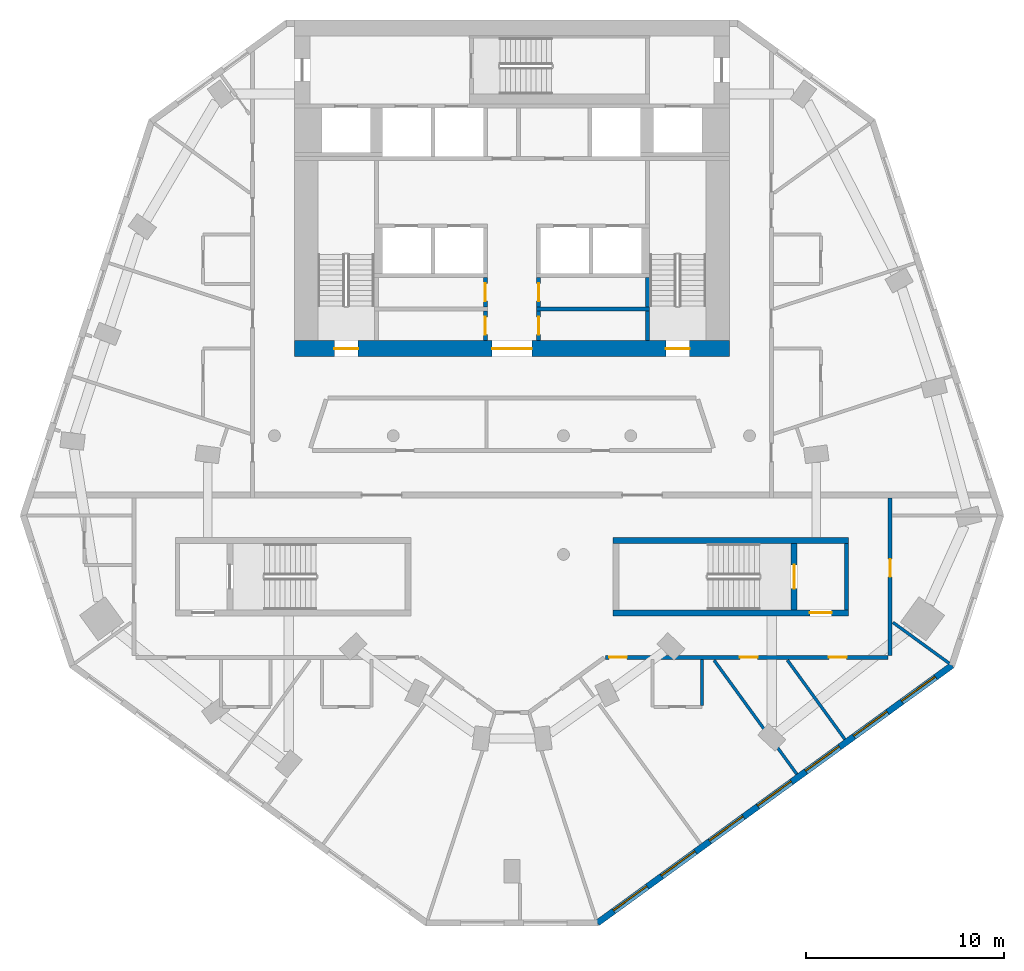
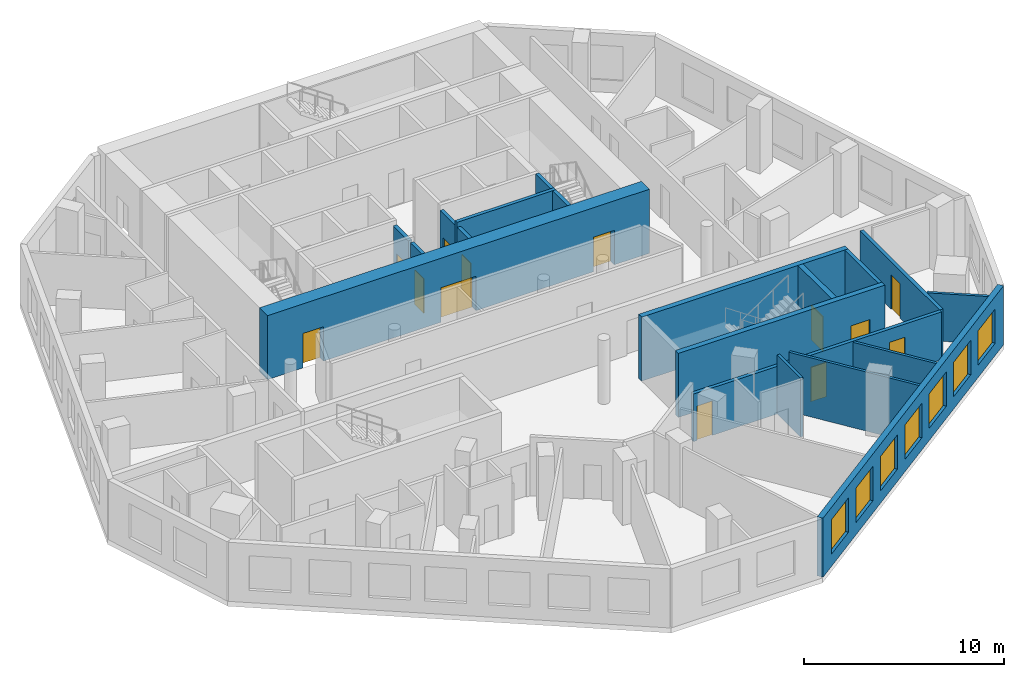
# One storey, part 4 of 9: 19 walls, 13 doors, 7 windows, 20 openings.
"""IFC4 building model written with IfcOpenShell, lengths in metres."""

import ifcopenshell
import ifcopenshell.guid

model = None  # the IFC model being written
_history = None  # IfcOwnerHistory: only IFC2X3 demands one
_inside = {}  # id of a spatial element -> (the spatial element, [elements in it])
_under = {}  # id of a project, library or spatial element -> (it, [spatial elements below it])
_declared = {}  # id of a project -> (the project, [libraries it declares])
_typed = {}  # id of a type object -> (the type object, [elements of that type])
_made_of = {}  # id of a material, layer set ... -> (it, [elements and type objects made of it])


def new_model(schema):
    """Start an empty IFC model of exactly this schema.

    Asked for "IFC4X3", IfcOpenShell would pick the latest addendum, in which some entities
    have other attributes; the version numbers below select the first issue.
    IFC2X3 requires an IfcOwnerHistory on every rooted entity: one is made here for all.
    """
    global model, _history
    if schema == "IFC4X3":
        model = ifcopenshell.file(schema_version=(4, 3, 0, 0))
    else:
        model = ifcopenshell.file(schema=schema)
    _inside.clear()
    _under.clear()
    _declared.clear()
    _typed.clear()
    _made_of.clear()
    _history = None
    if model.schema == "IFC2X3":
        org = make("IfcOrganization", Name="unknown")
        user = make(
            "IfcPersonAndOrganization",
            ThePerson=make("IfcPerson", FamilyName="unknown"),
            TheOrganization=org,
        )
        app = make(
            "IfcApplication",
            ApplicationDeveloper=org,
            Version="unknown",
            ApplicationFullName="unknown",
            ApplicationIdentifier="unknown",
        )
        _history = make(
            "IfcOwnerHistory",
            OwningUser=user,
            OwningApplication=app,
            ChangeAction="ADDED",
            CreationDate=0,
        )
    return model


def make(cls, **values):
    """One entity of the class cls with the attributes given. An attribute that is None is left unset."""
    return model.create_entity(
        cls, **{name: value for name, value in values.items() if value is not None}
    )


def rooted(cls, **values):
    """An entity with a GlobalId (a new one), such as an element, a storey or a relation."""
    return make(cls, GlobalId=ifcopenshell.guid.new(), OwnerHistory=_history, **values)


def si_unit(unit_type, name, prefix=None):
    """IfcSIUnit, for example si_unit("LENGTHUNIT", "METRE", prefix="MILLI")."""
    return make("IfcSIUnit", UnitType=unit_type, Prefix=prefix, Name=name)


def assignment(units):
    """IfcUnitAssignment: the units of a project."""
    return None if units is None else make("IfcUnitAssignment", Units=units)


def point(xyz):
    """IfcCartesianPoint."""
    return None if xyz is None else make("IfcCartesianPoint", Coordinates=xyz)


def direction(xyz):
    """IfcDirection."""
    return None if xyz is None else make("IfcDirection", DirectionRatios=xyz)


def frame(location, z_axis=None, x_axis=None):
    """IfcAxis2Placement3D, a coordinate frame: its origin and axes. An axis left out is left unset."""
    return make(
        "IfcAxis2Placement3D",
        Location=point(location),
        Axis=direction(z_axis),
        RefDirection=direction(x_axis),
    )


def frame_2d(location, x_axis=None):
    """IfcAxis2Placement2D, a coordinate frame in the plane: its origin and x axis."""
    return make(
        "IfcAxis2Placement2D", Location=point(location), RefDirection=direction(x_axis)
    )


def origin():
    """The frame at (0, 0, 0) with its axes left unset."""
    return frame((0.0, 0.0, 0.0))


def place(relative_to, where):
    """IfcLocalPlacement: puts the frame where relative to a parent placement (None: the world)."""
    return make(
        "IfcLocalPlacement", PlacementRelTo=relative_to, RelativePlacement=where
    )


def context(
    kind, dimensions, precision=None, world=None, true_north=None, identifier=None
):
    """IfcGeometricRepresentationContext, for example the 3D "Model" context."""
    return make(
        "IfcGeometricRepresentationContext",
        ContextIdentifier=identifier,
        ContextType=kind,
        CoordinateSpaceDimension=dimensions,
        Precision=precision,
        WorldCoordinateSystem=world,
        TrueNorth=true_north,
    )


def subcontext(parent, identifier, kind, view, scale=None):
    """IfcGeometricRepresentationSubContext, for example "Body" below "Model"."""
    return make(
        "IfcGeometricRepresentationSubContext",
        ContextIdentifier=identifier,
        ContextType=kind,
        ParentContext=parent,
        TargetScale=scale,
        TargetView=view,
    )


def project(units=None, contexts=None):
    """IfcProject with its units and contexts."""
    return rooted(
        "IfcProject",
        Name="project",
        RepresentationContexts=contexts,
        UnitsInContext=assignment(units),
    )


def spatial(cls, under=None, at=None, **own):
    """A site, building, storey or space (cls), placed at a placement, below another one or the project."""
    s = rooted(cls, ObjectPlacement=at, **own)
    if under is not None:
        _under.setdefault(under.id(), (under, []))[1].append(s)
    return s


def profile(cls, at=None, kind="AREA", **sizes):
    """A parametric profile (cls). Its sizes go by their IFC names, for example OverallWidth=200.0."""
    return make(cls, ProfileType=kind, Position=at, **sizes)


def rectangle(**sizes):
    """IfcRectangleProfileDef."""
    return profile("IfcRectangleProfileDef", **sizes)


def extrude(swept, where, along, depth):
    """IfcExtrudedAreaSolid: the profile swept, set in the frame where, extruded along a direction by depth."""
    return make(
        "IfcExtrudedAreaSolid",
        SweptArea=swept,
        Position=where,
        ExtrudedDirection=direction(along),
        Depth=depth,
    )


def shape(context_of_items, identifier, shape_type, items):
    """IfcShapeRepresentation: the items that make up one representation, for example the "Body"."""
    return make(
        "IfcShapeRepresentation",
        ContextOfItems=context_of_items,
        RepresentationIdentifier=identifier,
        RepresentationType=shape_type,
        Items=items,
    )


def material(Name=None, Category=None):
    """IfcMaterial."""
    return make("IfcMaterial", Name=Name, Category=Category)


def layer(
    of_material, thickness, ventilated=None, Name=None, Category=None, Priority=None
):
    """IfcMaterialLayer: one layer of a wall or slab, of a material (None: an air gap)."""
    return make(
        "IfcMaterialLayer",
        Material=of_material,
        LayerThickness=thickness,
        IsVentilated=ventilated,
        Name=Name,
        Category=Category,
        Priority=Priority,
    )


def layer_set(layers, Name=None):
    """IfcMaterialLayerSet."""
    return make("IfcMaterialLayerSet", MaterialLayers=layers, LayerSetName=Name)


def made_of(thing, what):
    """Note that an element or type object is made of a material, layer set ...; save() writes the relation."""
    if what is not None:
        _made_of.setdefault(what.id(), (what, []))[1].append(thing)
    return thing


def type_object(cls, material=None, **own):
    """A type object (cls), such as IfcWallType, which elements share."""
    return made_of(rooted(cls, **own), material)


def element(
    cls,
    number,
    at=None,
    inside=None,
    cuts=None,
    type_object=None,
    material=None,
    context=None,
    identifier="Body",
    shape_type=None,
    held_by="IfcProductDefinitionShape",
    body=None,
    shapes=None,
    **own,
):
    """One element of the class cls, such as IfcWall. Its Tag is "e" and its number.

    at: its placement. inside: the storey or other place that contains it. cuts: it is an
    opening in that element (IfcRelVoidsElement). A single representation is given by context,
    identifier, shape_type and body (its items); several are given by shapes. held_by: the class
    of the entity that holds the representations. save() writes the other relations.
    """
    e = rooted(cls, Tag="e%d" % number, ObjectPlacement=at, **own)
    if body is not None:
        shapes = [shape(context, identifier, shape_type, body)]
    if shapes is not None:
        e.Representation = make(held_by, Representations=shapes)
    if inside is not None:
        _inside.setdefault(inside.id(), (inside, []))[1].append(e)
    if cuts is not None:
        rooted(
            "IfcRelVoidsElement", RelatingBuildingElement=cuts, RelatedOpeningElement=e
        )
    if type_object is not None:
        _typed.setdefault(type_object.id(), (type_object, []))[1].append(e)
    return made_of(e, material)


def fill(opening, filler):
    """IfcRelFillsElement: the door or window that sits in an opening."""
    return rooted(
        "IfcRelFillsElement",
        RelatingOpeningElement=opening,
        RelatedBuildingElement=filler,
    )


def aggregate(whole, parts):
    """IfcRelAggregates: a whole, such as a stair, and the parts it consists of."""
    return rooted("IfcRelAggregates", RelatingObject=whole, RelatedObjects=parts)


def save(model, path):
    """Write the relations noted so far, then the file.

    IfcRelAggregates (storeys below a building ...), IfcRelContainedInSpatialStructure (elements
    in a storey), IfcRelDefinesByType, IfcRelAssociatesMaterial and IfcRelDeclares: one each for
    every whole, place, type object, material and project.
    """
    for whole, parts in _under.values():
        aggregate(whole, parts)
    for where, things in _inside.values():
        rooted(
            "IfcRelContainedInSpatialStructure",
            RelatedElements=things,
            RelatingStructure=where,
        )
    for kind, things in _typed.values():
        rooted("IfcRelDefinesByType", RelatedObjects=things, RelatingType=kind)
    for what, things in _made_of.values():
        rooted("IfcRelAssociatesMaterial", RelatedObjects=things, RelatingMaterial=what)
    for by, libraries in _declared.values():
        rooted("IfcRelDeclares", RelatingContext=by, RelatedDefinitions=libraries)
    model.write(path)


model = new_model("IFC4")

# Units and contexts
model_context = context("Model", 3, precision=1e-05, world=origin(), true_north=direction((0.0, 1.0)))
body_context = subcontext(model_context, "Body", "Model", "MODEL_VIEW")
ifc_project = project(units=[si_unit("LENGTHUNIT", "METRE"), si_unit("AREAUNIT", "SQUARE_METRE"), si_unit("VOLUMEUNIT", "CUBIC_METRE"), si_unit("PLANEANGLEUNIT", "RADIAN"), si_unit("MASSUNIT", "GRAM", prefix="KILO")], contexts=[model_context])

# Site, building, storey
site_placement = place(None, origin())
site = spatial("IfcSite", under=ifc_project, at=site_placement, CompositionType="ELEMENT")
building_placement = place(site_placement, origin())
building = spatial("IfcBuilding", under=site, at=building_placement, Name="White Candle Pilgrim Tower", CompositionType="ELEMENT")
storey_placement = place(building_placement, frame((0.0, 0.0, 212.10009765625)))
storey = spatial("IfcBuildingStorey", under=building, at=storey_placement, Name="L49", CompositionType="ELEMENT", Elevation=212.10009765625)

# Wall
ifc_material_1 = material(Name="Concrete C50/60", Category="concrete")
ifc_layer_1 = layer(ifc_material_1, 0.199951171875)
ifc_layer_set_1 = layer_set([ifc_layer_1], Name="Core wall 200 mm Concrete C50/60")
wall_type_1 = type_object("IfcWallType", Name="Core wall 200 mm Concrete C50/60", PredefinedType="SHEAR", material=ifc_layer_set_1)
wall_1_placement = place(storey_placement, frame((86.89990234375, 58.199951171875, 0.0), z_axis=(0.0, 0.0, 1.0), x_axis=(0.0, 1.0, 0.0)))
element("IfcWall", 1, at=wall_1_placement, inside=storey, type_object=wall_type_1, Name="WL-L49-C08", PredefinedType="SHEAR", context=body_context, shape_type="SweptSolid", body=[
    extrude(rectangle(XDim=3.35009765625, YDim=0.199951171875, at=frame_2d((1.675048828125, 0.0))), origin(), (0.0, 0.0, 1.0), 3.89990234375),
])

# Wall, opening, door
ifc_material_2 = material(Name="Gypsum board on steel studs", Category="steel")
ifc_layer_2 = layer(ifc_material_2, 0.199951171875)
ifc_layer_set_2 = layer_set([ifc_layer_2], Name="Corridor wall 200 mm EI 45")
wall_type_2 = type_object("IfcWallType", Name="Corridor wall 200 mm EI 45", PredefinedType="PARTITIONING", material=ifc_layer_set_2)
wall_2_placement = place(storey_placement, frame((89.10009765625, 63.85009765625, 0.0), z_axis=(0.0, 0.0, 1.0), x_axis=(0.0, -1.0, 0.0)))
wall_2 = element("IfcWall", 2, at=wall_2_placement, inside=storey, type_object=wall_type_2, Name="WL-L49-P004", PredefinedType="PARTITIONING", context=body_context, shape_type="SweptSolid", body=[
    extrude(rectangle(XDim=7.9501953125, YDim=0.199951171875, at=frame_2d((3.97509765625, 0.0))), origin(), (0.0, 0.0, 1.0), 2.89990234375),
])
opening_1_placement = place(wall_2_placement, frame((3.08349609375, 0.0, 0.0)))
opening_1 = element("IfcOpeningElement", 3, at=opening_1_placement, cuts=wall_2, Name="Opening T15-116", PredefinedType="OPENING", context=body_context, shape_type="SweptSolid", body=[
    extrude(rectangle(XDim=0.89990234375, YDim=2.10009765625, at=frame_2d((0.449951171875, 1.050048828125))), frame((0.0, 0.10986328125, 0.0), z_axis=(0.0, -1.0, 0.0), x_axis=(1.0, 0.0, 0.0)), (0.0, 0.0, 1.0), 0.219970703125),
])
ifc_material_3 = material(Name="Steel door leaf", Category="steel")
door_type_1 = type_object("IfcDoorType", Name="Fire door 900 x 2100 EI 30", OperationType="NOTDEFINED", PredefinedType="DOOR", material=ifc_material_3)
door_1_placement = place(opening_1_placement, origin())
door_1 = element("IfcDoor", 4, at=door_1_placement, inside=storey, type_object=door_type_1, Name="Door T15-116", OperationType="SINGLE_SWING_RIGHT", OverallHeight=2.10009765625, OverallWidth=0.89990234375, PredefinedType="DOOR", context=body_context, shape_type="SweptSolid", body=[
    extrude(rectangle(XDim=0.89990234375, YDim=2.10009765625, at=frame_2d((0.449951171875, 1.050048828125))), frame((0.0, 0.02490234375, 0.0), z_axis=(0.0, -1.0, 0.0), x_axis=(1.0, 0.0, 0.0)), (0.0, 0.0, 1.0), 0.050048828125),
])
fill(opening_1, door_1)

# Wall, openings, doors
wall_3_placement = place(storey_placement, frame((89.0, 55.800048828125, 0.0), z_axis=(0.0, 0.0, 1.0), x_axis=(-1.0, 0.0, 0.0)))
wall_3 = element("IfcWall", 5, at=wall_3_placement, inside=storey, type_object=wall_type_2, Name="WL-L49-P005", PredefinedType="PARTITIONING", context=body_context, shape_type="SweptSolid", body=[
    extrude(rectangle(XDim=14.28466796875, YDim=0.199951171875, at=frame_2d((7.142333984375, 0.0))), origin(), (0.0, 0.0, 1.0), 2.89990234375),
])
opening_2_placement = place(wall_3_placement, frame((13.197265625, 0.0, 0.0)))
opening_2 = element("IfcOpeningElement", 6, at=opening_2_placement, cuts=wall_3, Name="Opening T15-113", PredefinedType="OPENING", context=body_context, shape_type="SweptSolid", body=[
    extrude(rectangle(XDim=0.89990234375, YDim=2.10009765625, at=frame_2d((0.449951171875, 1.050048828125))), frame((0.0, 0.10986328125, 0.0), z_axis=(0.0, -1.0, 0.0), x_axis=(1.0, 0.0, 0.0)), (0.0, 0.0, 1.0), 0.219970703125),
])
opening_3_placement = place(wall_3_placement, frame((6.5927734375, 0.0, 0.0)))
opening_3 = element("IfcOpeningElement", 7, at=opening_3_placement, cuts=wall_3, Name="Opening T15-114", PredefinedType="OPENING", context=body_context, shape_type="SweptSolid", body=[
    extrude(rectangle(XDim=0.89990234375, YDim=2.10009765625, at=frame_2d((0.449951171875, 1.050048828125))), frame((0.0, 0.10986328125, 0.0), z_axis=(0.0, -1.0, 0.0), x_axis=(1.0, 0.0, 0.0)), (0.0, 0.0, 1.0), 0.219970703125),
])
opening_4_placement = place(wall_3_placement, frame((2.09423828125, 0.0, 0.0)))
opening_4 = element("IfcOpeningElement", 8, at=opening_4_placement, cuts=wall_3, Name="Opening T15-115", PredefinedType="OPENING", context=body_context, shape_type="SweptSolid", body=[
    extrude(rectangle(XDim=0.89990234375, YDim=2.10009765625, at=frame_2d((0.449951171875, 1.050048828125))), frame((0.0, 0.10986328125, 0.0), z_axis=(0.0, -1.0, 0.0), x_axis=(1.0, 0.0, 0.0)), (0.0, 0.0, 1.0), 0.219970703125),
])
door_2_placement = place(opening_2_placement, origin())
door_2 = element("IfcDoor", 9, at=door_2_placement, inside=storey, type_object=door_type_1, Name="Door T15-113", OperationType="SINGLE_SWING_LEFT", OverallHeight=2.10009765625, OverallWidth=0.89990234375, PredefinedType="DOOR", context=body_context, shape_type="SweptSolid", body=[
    extrude(rectangle(XDim=0.89990234375, YDim=2.10009765625, at=frame_2d((0.449951171875, 1.050048828125))), frame((0.0, 0.02490234375, 0.0), z_axis=(0.0, -1.0, 0.0), x_axis=(1.0, 0.0, 0.0)), (0.0, 0.0, 1.0), 0.050048828125),
])
fill(opening_2, door_2)
door_3_placement = place(opening_3_placement, origin())
door_3 = element("IfcDoor", 10, at=door_3_placement, inside=storey, type_object=door_type_1, Name="Door T15-114", OperationType="SINGLE_SWING_RIGHT", OverallHeight=2.10009765625, OverallWidth=0.89990234375, PredefinedType="DOOR", context=body_context, shape_type="SweptSolid", body=[
    extrude(rectangle(XDim=0.89990234375, YDim=2.10009765625, at=frame_2d((0.449951171875, 1.050048828125))), frame((0.0, 0.02490234375, 0.0), z_axis=(0.0, -1.0, 0.0), x_axis=(1.0, 0.0, 0.0)), (0.0, 0.0, 1.0), 0.050048828125),
])
fill(opening_3, door_3)
door_4_placement = place(opening_4_placement, origin())
door_4 = element("IfcDoor", 11, at=door_4_placement, inside=storey, type_object=door_type_1, Name="Door T15-115", OperationType="SINGLE_SWING_LEFT", OverallHeight=2.10009765625, OverallWidth=0.89990234375, PredefinedType="DOOR", context=body_context, shape_type="SweptSolid", body=[
    extrude(rectangle(XDim=0.89990234375, YDim=2.10009765625, at=frame_2d((0.449951171875, 1.050048828125))), frame((0.0, 0.02490234375, 0.0), z_axis=(0.0, -1.0, 0.0), x_axis=(1.0, 0.0, 0.0)), (0.0, 0.0, 1.0), 0.050048828125),
])
fill(opening_4, door_4)

# Wall, openings, windows
ifc_material_4 = material(Name="Precast concrete C40/50", Category="concrete")
ifc_layer_3 = layer(ifc_material_4, 0.320068359375)
ifc_layer_set_3 = layer_set([ifc_layer_3], Name="Facade wall EW1 precast concrete C40/50 pier wall with timber-lined reveals")
wall_type_3 = type_object("IfcWallType", Name="Facade wall EW1 precast concrete C40/50 pier wall with timber-lined reveals", PredefinedType="SOLIDWALL", material=ifc_layer_set_3)
wall_4_placement = place(storey_placement, frame((74.312744140625, 42.37939453125, 0.0), z_axis=(0.0, 0.0, 1.0), x_axis=(0.809018689846, 0.587782918669, 0.0)))
wall_4 = element("IfcWall", 12, at=wall_4_placement, inside=storey, type_object=wall_type_3, Name="Facade wall L49 SE", PredefinedType="SOLIDWALL", context=body_context, shape_type="SweptSolid", body=[
    extrude(rectangle(XDim=22.145751953125, YDim=0.320068359375, at=frame_2d((11.07275390625, 0.0))), origin(), (0.0, 0.0, 1.0), 3.599853515625),
])
opening_5_placement = place(wall_4_placement, frame((1.022705078125, 0.0, 0.75)))
opening_5 = element("IfcOpeningElement", 13, at=opening_5_placement, cuts=wall_4, Name="Opening W3", PredefinedType="OPENING", context=body_context, shape_type="SweptSolid", body=[
    extrude(rectangle(XDim=2.10009765625, YDim=2.10009765625, at=frame_2d((1.050048828125, 1.050048828125))), frame((0.0, 0.169921875, 0.0), z_axis=(0.0, -1.0, 0.0), x_axis=(1.0, 0.0, 0.0)), (0.0, 0.0, 1.0), 0.340087890625),
])
opening_6_placement = place(wall_4_placement, frame((4.022705078125, 0.0, 0.75)))
opening_6 = element("IfcOpeningElement", 14, at=opening_6_placement, cuts=wall_4, Name="Opening W3", PredefinedType="OPENING", context=body_context, shape_type="SweptSolid", body=[
    extrude(rectangle(XDim=2.10009765625, YDim=2.10009765625, at=frame_2d((1.050048828125, 1.050048828125))), frame((0.0, 0.169921875, 0.0), z_axis=(0.0, -1.0, 0.0), x_axis=(1.0, 0.0, 0.0)), (0.0, 0.0, 1.0), 0.340087890625),
])
opening_7_placement = place(wall_4_placement, frame((7.022705078125, 0.0, 0.75)))
opening_7 = element("IfcOpeningElement", 15, at=opening_7_placement, cuts=wall_4, Name="Opening W3", PredefinedType="OPENING", context=body_context, shape_type="SweptSolid", body=[
    extrude(rectangle(XDim=2.10009765625, YDim=2.10009765625, at=frame_2d((1.050048828125, 1.050048828125))), frame((0.0, 0.169921875, 0.0), z_axis=(0.0, -1.0, 0.0), x_axis=(1.0, 0.0, 0.0)), (0.0, 0.0, 1.0), 0.340087890625),
])
opening_8_placement = place(wall_4_placement, frame((10.022705078125, 0.0, 0.75)))
opening_8 = element("IfcOpeningElement", 16, at=opening_8_placement, cuts=wall_4, Name="Opening W3", PredefinedType="OPENING", context=body_context, shape_type="SweptSolid", body=[
    extrude(rectangle(XDim=2.10009765625, YDim=2.10009765625, at=frame_2d((1.050048828125, 1.050048828125))), frame((0.0, 0.169921875, 0.0), z_axis=(0.0, -1.0, 0.0), x_axis=(1.0, 0.0, 0.0)), (0.0, 0.0, 1.0), 0.340087890625),
])
opening_9_placement = place(wall_4_placement, frame((13.022705078125, 0.0, 0.75)))
opening_9 = element("IfcOpeningElement", 17, at=opening_9_placement, cuts=wall_4, Name="Opening W3", PredefinedType="OPENING", context=body_context, shape_type="SweptSolid", body=[
    extrude(rectangle(XDim=2.10009765625, YDim=2.10009765625, at=frame_2d((1.050048828125, 1.050048828125))), frame((0.0, 0.169921875, 0.0), z_axis=(0.0, -1.0, 0.0), x_axis=(1.0, 0.0, 0.0)), (0.0, 0.0, 1.0), 0.340087890625),
])
opening_10_placement = place(wall_4_placement, frame((16.022705078125, 0.0, 0.75)))
opening_10 = element("IfcOpeningElement", 18, at=opening_10_placement, cuts=wall_4, Name="Opening W3", PredefinedType="OPENING", context=body_context, shape_type="SweptSolid", body=[
    extrude(rectangle(XDim=2.10009765625, YDim=2.10009765625, at=frame_2d((1.050048828125, 1.050048828125))), frame((0.0, 0.169921875, 0.0), z_axis=(0.0, -1.0, 0.0), x_axis=(1.0, 0.0, 0.0)), (0.0, 0.0, 1.0), 0.340087890625),
])
opening_11_placement = place(wall_4_placement, frame((19.022705078125, 0.0, 0.75)))
opening_11 = element("IfcOpeningElement", 19, at=opening_11_placement, cuts=wall_4, Name="Opening W3", PredefinedType="OPENING", context=body_context, shape_type="SweptSolid", body=[
    extrude(rectangle(XDim=2.10009765625, YDim=2.10009765625, at=frame_2d((1.050048828125, 1.050048828125))), frame((0.0, 0.169921875, 0.0), z_axis=(0.0, -1.0, 0.0), x_axis=(1.0, 0.0, 0.0)), (0.0, 0.0, 1.0), 0.340087890625),
])
ifc_material_5 = material(Name="Timber frame with triple glazing", Category="wood")
window_type = type_object("IfcWindowType", Name="Window W3 2100x2100 timber frame triple glazing", PartitioningType="SINGLE_PANEL", PredefinedType="WINDOW", material=ifc_material_5)
window_1_placement = place(opening_5_placement, origin())
window_1 = element("IfcWindow", 20, at=window_1_placement, inside=storey, type_object=window_type, Name="Window W3 L49 SE 1", OverallHeight=2.10009765625, OverallWidth=2.10009765625, PartitioningType="SINGLE_PANEL", PredefinedType="WINDOW", context=body_context, shape_type="SweptSolid", body=[
    extrude(rectangle(XDim=2.10009765625, YDim=2.10009765625, at=frame_2d((1.050048828125, 1.050048828125))), frame((0.0, 0.070068359375, 0.0), z_axis=(0.0, -1.0, 0.0), x_axis=(1.0, 0.0, 0.0)), (0.0, 0.0, 1.0), 0.06005859375),
])
fill(opening_5, window_1)
window_2_placement = place(opening_6_placement, origin())
window_2 = element("IfcWindow", 21, at=window_2_placement, inside=storey, type_object=window_type, Name="Window W3 L49 SE 2", OverallHeight=2.10009765625, OverallWidth=2.10009765625, PartitioningType="SINGLE_PANEL", PredefinedType="WINDOW", context=body_context, shape_type="SweptSolid", body=[
    extrude(rectangle(XDim=2.10009765625, YDim=2.10009765625, at=frame_2d((1.050048828125, 1.050048828125))), frame((0.0, 0.070068359375, 0.0), z_axis=(0.0, -1.0, 0.0), x_axis=(1.0, 0.0, 0.0)), (0.0, 0.0, 1.0), 0.06005859375),
])
fill(opening_6, window_2)
window_3_placement = place(opening_7_placement, origin())
window_3 = element("IfcWindow", 22, at=window_3_placement, inside=storey, type_object=window_type, Name="Window W3 L49 SE 3", OverallHeight=2.10009765625, OverallWidth=2.10009765625, PartitioningType="SINGLE_PANEL", PredefinedType="WINDOW", context=body_context, shape_type="SweptSolid", body=[
    extrude(rectangle(XDim=2.10009765625, YDim=2.10009765625, at=frame_2d((1.050048828125, 1.050048828125))), frame((0.0, 0.070068359375, 0.0), z_axis=(0.0, -1.0, 0.0), x_axis=(1.0, 0.0, 0.0)), (0.0, 0.0, 1.0), 0.06005859375),
])
fill(opening_7, window_3)
window_4_placement = place(opening_8_placement, origin())
window_4 = element("IfcWindow", 23, at=window_4_placement, inside=storey, type_object=window_type, Name="Window W3 L49 SE 4", OverallHeight=2.10009765625, OverallWidth=2.10009765625, PartitioningType="SINGLE_PANEL", PredefinedType="WINDOW", context=body_context, shape_type="SweptSolid", body=[
    extrude(rectangle(XDim=2.10009765625, YDim=2.10009765625, at=frame_2d((1.050048828125, 1.050048828125))), frame((0.0, 0.070068359375, 0.0), z_axis=(0.0, -1.0, 0.0), x_axis=(1.0, 0.0, 0.0)), (0.0, 0.0, 1.0), 0.06005859375),
])
fill(opening_8, window_4)
window_5_placement = place(opening_9_placement, origin())
window_5 = element("IfcWindow", 24, at=window_5_placement, inside=storey, type_object=window_type, Name="Window W3 L49 SE 5", OverallHeight=2.10009765625, OverallWidth=2.10009765625, PartitioningType="SINGLE_PANEL", PredefinedType="WINDOW", context=body_context, shape_type="SweptSolid", body=[
    extrude(rectangle(XDim=2.10009765625, YDim=2.10009765625, at=frame_2d((1.050048828125, 1.050048828125))), frame((0.0, 0.070068359375, 0.0), z_axis=(0.0, -1.0, 0.0), x_axis=(1.0, 0.0, 0.0)), (0.0, 0.0, 1.0), 0.06005859375),
])
fill(opening_9, window_5)
window_6_placement = place(opening_10_placement, origin())
window_6 = element("IfcWindow", 25, at=window_6_placement, inside=storey, type_object=window_type, Name="Window W3 L49 SE 6", OverallHeight=2.10009765625, OverallWidth=2.10009765625, PartitioningType="SINGLE_PANEL", PredefinedType="WINDOW", context=body_context, shape_type="SweptSolid", body=[
    extrude(rectangle(XDim=2.10009765625, YDim=2.10009765625, at=frame_2d((1.050048828125, 1.050048828125))), frame((0.0, 0.070068359375, 0.0), z_axis=(0.0, -1.0, 0.0), x_axis=(1.0, 0.0, 0.0)), (0.0, 0.0, 1.0), 0.06005859375),
])
fill(opening_10, window_6)
window_7_placement = place(opening_11_placement, origin())
window_7 = element("IfcWindow", 26, at=window_7_placement, inside=storey, type_object=window_type, Name="Window W3 L49 SE 7", OverallHeight=2.10009765625, OverallWidth=2.10009765625, PartitioningType="SINGLE_PANEL", PredefinedType="WINDOW", context=body_context, shape_type="SweptSolid", body=[
    extrude(rectangle(XDim=2.10009765625, YDim=2.10009765625, at=frame_2d((1.050048828125, 1.050048828125))), frame((0.0, 0.070068359375, 0.0), z_axis=(0.0, -1.0, 0.0), x_axis=(1.0, 0.0, 0.0)), (0.0, 0.0, 1.0), 0.06005859375),
])
fill(opening_11, window_7)

# Wall, opening, door
ifc_layer_4 = layer(ifc_material_2, 0.199951171875)
ifc_layer_set_4 = layer_set([ifc_layer_4], Name="Lobby wall 200 mm EI 60")
wall_type_4 = type_object("IfcWallType", Name="Lobby wall 200 mm EI 60", PredefinedType="PARTITIONING", material=ifc_layer_set_4)
wall_5_placement = place(storey_placement, frame((68.64990234375, 71.800048828125, 0.0), z_axis=(0.0, 0.0, 1.0), x_axis=(0.0, 1.0, 0.0)))
wall_5 = element("IfcWall", 27, at=wall_5_placement, inside=storey, type_object=wall_type_4, Name="WL-L49-C14", PredefinedType="PARTITIONING", context=body_context, shape_type="SweptSolid", body=[
    extrude(rectangle(XDim=1.5, YDim=0.199951171875, at=frame_2d((0.75, 0.0))), origin(), (0.0, 0.0, 1.0), 3.599853515625),
])
opening_12_placement = place(wall_5_placement, frame((0.300048828125, 0.0, 0.0)))
opening_12 = element("IfcOpeningElement", 28, at=opening_12_placement, cuts=wall_5, Name="Opening T15-005", PredefinedType="OPENING", context=body_context, shape_type="SweptSolid", body=[
    extrude(rectangle(XDim=0.89990234375, YDim=2.10009765625, at=frame_2d((0.449951171875, 1.050048828125))), frame((0.0, 0.10986328125, 0.0), z_axis=(0.0, -1.0, 0.0), x_axis=(1.0, 0.0, 0.0)), (0.0, 0.0, 1.0), 0.219970703125),
])
door_5_placement = place(opening_12_placement, origin())
door_5 = element("IfcDoor", 29, at=door_5_placement, inside=storey, type_object=door_type_1, Name="Door T15-005", OperationType="SINGLE_SWING_LEFT", OverallHeight=2.10009765625, OverallWidth=0.89990234375, PredefinedType="DOOR", context=body_context, shape_type="SweptSolid", body=[
    extrude(rectangle(XDim=0.89990234375, YDim=2.10009765625, at=frame_2d((0.449951171875, 1.050048828125))), frame((0.0, 0.02490234375, 0.0), z_axis=(0.0, -1.0, 0.0), x_axis=(1.0, 0.0, 0.0)), (0.0, 0.0, 1.0), 0.050048828125),
])
fill(opening_12, door_5)

wall_6_placement = place(storey_placement, frame((71.35009765625, 71.800048828125, 0.0), z_axis=(0.0, 0.0, 1.0), x_axis=(0.0, 1.0, 0.0)))
wall_6 = element("IfcWall", 30, at=wall_6_placement, inside=storey, type_object=wall_type_4, Name="WL-L49-C15", PredefinedType="PARTITIONING", context=body_context, shape_type="SweptSolid", body=[
    extrude(rectangle(XDim=1.5, YDim=0.199951171875, at=frame_2d((0.75, 0.0))), origin(), (0.0, 0.0, 1.0), 3.599853515625),
])
opening_13_placement = place(wall_6_placement, frame((0.300048828125, 0.0, 0.0)))
opening_13 = element("IfcOpeningElement", 31, at=opening_13_placement, cuts=wall_6, Name="Opening T15-007", PredefinedType="OPENING", context=body_context, shape_type="SweptSolid", body=[
    extrude(rectangle(XDim=0.89990234375, YDim=2.10009765625, at=frame_2d((0.449951171875, 1.050048828125))), frame((0.0, 0.10986328125, 0.0), z_axis=(0.0, -1.0, 0.0), x_axis=(1.0, 0.0, 0.0)), (0.0, 0.0, 1.0), 0.219970703125),
])
door_6_placement = place(opening_13_placement, origin())
door_6 = element("IfcDoor", 32, at=door_6_placement, inside=storey, type_object=door_type_1, Name="Door T15-007", OperationType="SINGLE_SWING_LEFT", OverallHeight=2.10009765625, OverallWidth=0.89990234375, PredefinedType="DOOR", context=body_context, shape_type="SweptSolid", body=[
    extrude(rectangle(XDim=0.89990234375, YDim=2.10009765625, at=frame_2d((0.449951171875, 1.050048828125))), frame((0.0, 0.02490234375, 0.0), z_axis=(0.0, -1.0, 0.0), x_axis=(1.0, 0.0, 0.0)), (0.0, 0.0, 1.0), 0.050048828125),
])
fill(opening_13, door_6)

wall_7_placement = place(storey_placement, frame((68.64990234375, 73.5, 0.0), z_axis=(0.0, 0.0, 1.0), x_axis=(0.0, 1.0, 0.0)))
wall_7 = element("IfcWall", 33, at=wall_7_placement, inside=storey, type_object=wall_type_4, Name="WL-L49-C21", PredefinedType="PARTITIONING", context=body_context, shape_type="SweptSolid", body=[
    extrude(rectangle(XDim=1.5, YDim=0.199951171875, at=frame_2d((0.75, 0.0))), origin(), (0.0, 0.0, 1.0), 3.599853515625),
])
opening_14_placement = place(wall_7_placement, frame((0.300048828125, 0.0, 0.0)))
opening_14 = element("IfcOpeningElement", 34, at=opening_14_placement, cuts=wall_7, Name="Opening T15-006", PredefinedType="OPENING", context=body_context, shape_type="SweptSolid", body=[
    extrude(rectangle(XDim=0.89990234375, YDim=2.10009765625, at=frame_2d((0.449951171875, 1.050048828125))), frame((0.0, 0.10986328125, 0.0), z_axis=(0.0, -1.0, 0.0), x_axis=(1.0, 0.0, 0.0)), (0.0, 0.0, 1.0), 0.219970703125),
])
door_7_placement = place(opening_14_placement, origin())
door_7 = element("IfcDoor", 35, at=door_7_placement, inside=storey, type_object=door_type_1, Name="Door T15-006", OperationType="SINGLE_SWING_RIGHT", OverallHeight=2.10009765625, OverallWidth=0.89990234375, PredefinedType="DOOR", context=body_context, shape_type="SweptSolid", body=[
    extrude(rectangle(XDim=0.89990234375, YDim=2.10009765625, at=frame_2d((0.449951171875, 1.050048828125))), frame((0.0, 0.02490234375, 0.0), z_axis=(0.0, -1.0, 0.0), x_axis=(1.0, 0.0, 0.0)), (0.0, 0.0, 1.0), 0.050048828125),
])
fill(opening_14, door_7)

wall_8_placement = place(storey_placement, frame((71.35009765625, 73.5, 0.0), z_axis=(0.0, 0.0, 1.0), x_axis=(0.0, 1.0, 0.0)))
wall_8 = element("IfcWall", 36, at=wall_8_placement, inside=storey, type_object=wall_type_4, Name="WL-L49-C22", PredefinedType="PARTITIONING", context=body_context, shape_type="SweptSolid", body=[
    extrude(rectangle(XDim=1.5, YDim=0.199951171875, at=frame_2d((0.75, 0.0))), origin(), (0.0, 0.0, 1.0), 3.599853515625),
])
opening_15_placement = place(wall_8_placement, frame((0.300048828125, 0.0, 0.0)))
opening_15 = element("IfcOpeningElement", 37, at=opening_15_placement, cuts=wall_8, Name="Opening T15-008", PredefinedType="OPENING", context=body_context, shape_type="SweptSolid", body=[
    extrude(rectangle(XDim=0.89990234375, YDim=2.10009765625, at=frame_2d((0.449951171875, 1.050048828125))), frame((0.0, 0.10986328125, 0.0), z_axis=(0.0, -1.0, 0.0), x_axis=(1.0, 0.0, 0.0)), (0.0, 0.0, 1.0), 0.219970703125),
])
door_8_placement = place(opening_15_placement, origin())
door_8 = element("IfcDoor", 38, at=door_8_placement, inside=storey, type_object=door_type_1, Name="Door T15-008", OperationType="SINGLE_SWING_RIGHT", OverallHeight=2.10009765625, OverallWidth=0.89990234375, PredefinedType="DOOR", context=body_context, shape_type="SweptSolid", body=[
    extrude(rectangle(XDim=0.89990234375, YDim=2.10009765625, at=frame_2d((0.449951171875, 1.050048828125))), frame((0.0, 0.02490234375, 0.0), z_axis=(0.0, -1.0, 0.0), x_axis=(1.0, 0.0, 0.0)), (0.0, 0.0, 1.0), 0.050048828125),
])
fill(opening_15, door_8)

# Walls
ifc_layer_5 = layer(ifc_material_2, 0.14990234375)
ifc_layer_set_5 = layer_set([ifc_layer_5], Name="Partition 150 mm EI 60")
wall_type_5 = type_object("IfcWallType", Name="Partition 150 mm EI 60", PredefinedType="PARTITIONING", material=ifc_layer_set_5)
wall_9_placement = place(storey_placement, frame((92.093017578125, 55.4951171875, 0.0), z_axis=(0.0, 0.0, 1.0), x_axis=(-0.809017810654, 0.587784128779, 0.0)))
element("IfcWall", 39, at=wall_9_placement, inside=storey, type_object=wall_type_5, Name="WL-L49-P020", PredefinedType="PARTITIONING", context=body_context, shape_type="SweptSolid", body=[
    extrude(rectangle(XDim=3.521484375, YDim=0.14990234375, at=frame_2d((1.7607421875, 0.0))), origin(), (0.0, 0.0, 1.0), 2.89990234375),
])
wall_10_placement = place(storey_placement, frame((84.390380859375, 49.89892578125, 0.0), z_axis=(0.0, 0.0, 1.0), x_axis=(-0.587771793652, 0.809026772479, 0.0)))
element("IfcWall", 40, at=wall_10_placement, inside=storey, type_object=wall_type_5, Name="WL-L49-P042", PredefinedType="PARTITIONING", context=body_context, shape_type="SweptSolid", body=[
    extrude(rectangle(XDim=7.115966796875, YDim=0.14990234375, at=frame_2d((3.55810546875, 0.0))), origin(), (0.0, 0.0, 1.0), 3.599853515625),
])
wall_11_placement = place(storey_placement, frame((86.8173828125, 51.662353515625, 0.0), z_axis=(0.0, 0.0, 1.0), x_axis=(-0.587759916297, 0.809035401447, 0.0)))
element("IfcWall", 41, at=wall_11_placement, inside=storey, type_object=wall_type_5, Name="WL-L49-P043", PredefinedType="PARTITIONING", context=body_context, shape_type="SweptSolid", body=[
    extrude(rectangle(XDim=4.936279296875, YDim=0.14990234375, at=frame_2d((2.46826171875, 0.0))), origin(), (0.0, 0.0, 1.0), 2.89990234375),
])
wall_12_placement = place(storey_placement, frame((79.60302734375, 55.699951171875, 0.0), z_axis=(0.0, 0.0, 1.0), x_axis=(0.0, -1.0, 0.0)))
element("IfcWall", 42, at=wall_12_placement, inside=storey, type_object=wall_type_5, Name="WL-L49-P046", PredefinedType="PARTITIONING", context=body_context, shape_type="SweptSolid", body=[
    extrude(rectangle(XDim=2.324951171875, YDim=0.14990234375, at=frame_2d((1.16259765625, 0.0))), origin(), (0.0, 0.0, 1.0), 3.599853515625),
])
ifc_layer_6 = layer(ifc_material_1, 0.199951171875)
ifc_layer_set_6 = layer_set([ifc_layer_6], Name="Stair shaft wall 200 mm Concrete C50/60")
wall_type_6 = type_object("IfcWallType", Name="Stair shaft wall 200 mm Concrete C50/60", PredefinedType="SHEAR", material=ifc_layer_set_6)
wall_13_placement = place(storey_placement, frame((76.85009765625, 71.800048828125, 0.0), z_axis=(0.0, 0.0, 1.0), x_axis=(0.0, 1.0, 0.0)))
element("IfcWall", 43, at=wall_13_placement, inside=storey, type_object=wall_type_6, Name="WL-L49-C16", PredefinedType="SHEAR", context=body_context, shape_type="SweptSolid", body=[
    extrude(rectangle(XDim=1.5, YDim=0.199951171875, at=frame_2d((0.75, 0.0))), origin(), (0.0, 0.0, 1.0), 3.89990234375),
])
wall_14_placement = place(storey_placement, frame((71.25, 73.39990234375, 0.0), z_axis=(0.0, 0.0, 1.0), x_axis=(1.0, 0.0, 0.0)))
element("IfcWall", 44, at=wall_14_placement, inside=storey, type_object=wall_type_6, Name="WL-L49-C19", PredefinedType="SHEAR", context=body_context, shape_type="SweptSolid", body=[
    extrude(rectangle(XDim=5.699951171875, YDim=0.199951171875, at=frame_2d((2.85009765625, 0.0))), origin(), (0.0, 0.0, 1.0), 3.89990234375),
])
wall_15_placement = place(storey_placement, frame((76.85009765625, 73.5, 0.0), z_axis=(0.0, 0.0, 1.0), x_axis=(0.0, 1.0, 0.0)))
element("IfcWall", 45, at=wall_15_placement, inside=storey, type_object=wall_type_6, Name="WL-L49-C23", PredefinedType="SHEAR", context=body_context, shape_type="SweptSolid", body=[
    extrude(rectangle(XDim=1.5, YDim=0.199951171875, at=frame_2d((0.75, 0.0))), origin(), (0.0, 0.0, 1.0), 3.89990234375),
])

# Wall, opening, door
ifc_layer_7 = layer(ifc_material_1, 0.300048828125)
ifc_layer_set_7 = layer_set([ifc_layer_7], Name="Stair shaft wall 300 mm Concrete C50/60")
wall_type_7 = type_object("IfcWallType", Name="Stair shaft wall 300 mm Concrete C50/60", PredefinedType="SHEAR", material=ifc_layer_set_7)
wall_16_placement = place(storey_placement, frame((75.10009765625, 58.050048828125, 0.0), z_axis=(0.0, 0.0, 1.0), x_axis=(1.0, 0.0, 0.0)))
wall_16 = element("IfcWall", 46, at=wall_16_placement, inside=storey, type_object=wall_type_7, Name="WL-L49-C02", PredefinedType="SHEAR", context=body_context, shape_type="SweptSolid", body=[
    extrude(rectangle(XDim=11.89990234375, YDim=0.300048828125, at=frame_2d((5.949951171875, 0.0))), origin(), (0.0, 0.0, 1.0), 3.89990234375),
])
opening_16_placement = place(wall_16_placement, frame((9.949951171875, 0.0, 0.0)))
opening_16 = element("IfcOpeningElement", 47, at=opening_16_placement, cuts=wall_16, Name="Opening T15-013", PredefinedType="OPENING", context=body_context, shape_type="SweptSolid", body=[
    extrude(rectangle(XDim=1.10009765625, YDim=2.10009765625, at=frame_2d((0.550048828125, 1.050048828125))), frame((0.0, 0.159912109375, 0.0), z_axis=(0.0, -1.0, 0.0), x_axis=(1.0, 0.0, 0.0)), (0.0, 0.0, 1.0), 0.320068359375),
])
door_type_2 = type_object("IfcDoorType", Name="Fire door 1100 x 2100 EI 60", OperationType="NOTDEFINED", PredefinedType="DOOR", material=ifc_material_3)
door_9_placement = place(opening_16_placement, origin())
door_9 = element("IfcDoor", 48, at=door_9_placement, inside=storey, type_object=door_type_2, Name="Door T15-013", OperationType="SINGLE_SWING_LEFT", OverallHeight=2.10009765625, OverallWidth=1.10009765625, PredefinedType="DOOR", context=body_context, shape_type="SweptSolid", body=[
    extrude(rectangle(XDim=1.10009765625, YDim=2.10009765625, at=frame_2d((0.550048828125, 1.050048828125))), frame((0.0, 0.02490234375, 0.0), z_axis=(0.0, -1.0, 0.0), x_axis=(1.0, 0.0, 0.0)), (0.0, 0.0, 1.0), 0.050048828125),
])
fill(opening_16, door_9)

wall_17_placement = place(storey_placement, frame((84.25, 58.199951171875, 0.0), z_axis=(0.0, 0.0, 1.0), x_axis=(0.0, 1.0, 0.0)))
wall_17 = element("IfcWall", 49, at=wall_17_placement, inside=storey, type_object=wall_type_7, Name="WL-L49-C07", PredefinedType="SHEAR", context=body_context, shape_type="SweptSolid", body=[
    extrude(rectangle(XDim=3.35009765625, YDim=0.300048828125, at=frame_2d((1.675048828125, 0.0))), origin(), (0.0, 0.0, 1.0), 3.89990234375),
])
opening_17_placement = place(wall_17_placement, frame((1.074951171875, 0.0, 0.0)))
opening_17 = element("IfcOpeningElement", 50, at=opening_17_placement, cuts=wall_17, Name="Opening T15-014", PredefinedType="OPENING", context=body_context, shape_type="SweptSolid", body=[
    extrude(rectangle(XDim=1.199951171875, YDim=2.10009765625, at=frame_2d((0.60009765625, 1.050048828125))), frame((0.0, 0.159912109375, 0.0), z_axis=(0.0, -1.0, 0.0), x_axis=(1.0, 0.0, 0.0)), (0.0, 0.0, 1.0), 0.320068359375),
])
door_type_3 = type_object("IfcDoorType", Name="Fire door 1200 x 2100 EI 60", OperationType="NOTDEFINED", PredefinedType="DOOR", material=ifc_material_3)
door_10_placement = place(opening_17_placement, origin())
door_10 = element("IfcDoor", 51, at=door_10_placement, inside=storey, type_object=door_type_3, Name="Door T15-014", OperationType="SINGLE_SWING_RIGHT", OverallHeight=2.10009765625, OverallWidth=1.199951171875, PredefinedType="DOOR", context=body_context, shape_type="SweptSolid", body=[
    extrude(rectangle(XDim=1.199951171875, YDim=2.10009765625, at=frame_2d((0.60009765625, 1.050048828125))), frame((0.0, 0.02490234375, 0.0), z_axis=(0.0, -1.0, 0.0), x_axis=(1.0, 0.0, 0.0)), (0.0, 0.0, 1.0), 0.050048828125),
])
fill(opening_17, door_10)

# Wall
wall_18_placement = place(storey_placement, frame((75.10009765625, 61.699951171875, 0.0), z_axis=(0.0, 0.0, 1.0), x_axis=(1.0, 0.0, 0.0)))
element("IfcWall", 52, at=wall_18_placement, inside=storey, type_object=wall_type_7, Name="WL-L49-C10", PredefinedType="SHEAR", context=body_context, shape_type="SweptSolid", body=[
    extrude(rectangle(XDim=11.89990234375, YDim=0.300048828125, at=frame_2d((5.949951171875, 0.0))), origin(), (0.0, 0.0, 1.0), 3.89990234375),
])

# Wall, openings, doors
ifc_layer_8 = layer(ifc_material_1, 0.800048828125)
ifc_layer_set_8 = layer_set([ifc_layer_8], Name="Stair shaft wall 800 mm Concrete C50/60")
wall_type_8 = type_object("IfcWallType", Name="Stair shaft wall 800 mm Concrete C50/60", PredefinedType="SHEAR", material=ifc_layer_set_8)
wall_19_placement = place(storey_placement, frame((59.0, 71.39990234375, 0.0), z_axis=(0.0, 0.0, 1.0), x_axis=(1.0, 0.0, 0.0)))
wall_19 = element("IfcWall", 53, at=wall_19_placement, inside=storey, type_object=wall_type_8, Name="WL-L49-C11", PredefinedType="SHEAR", context=body_context, shape_type="SweptSolid", body=[
    extrude(rectangle(XDim=22.0, YDim=0.800048828125, at=frame_2d((11.0, 0.0))), origin(), (0.0, 0.0, 1.0), 3.89990234375),
])
opening_18_placement = place(wall_19_placement, frame((2.02490234375, 0.0, 0.0)))
opening_18 = element("IfcOpeningElement", 54, at=opening_18_placement, cuts=wall_19, Name="Opening T15-001", PredefinedType="OPENING", context=body_context, shape_type="SweptSolid", body=[
    extrude(rectangle(XDim=1.199951171875, YDim=2.10009765625, at=frame_2d((0.60009765625, 1.050048828125))), frame((0.0, 0.409912109375, 0.0), z_axis=(0.0, -1.0, 0.0), x_axis=(1.0, 0.0, 0.0)), (0.0, 0.0, 1.0), 0.820068359375),
])
opening_19_placement = place(wall_19_placement, frame((18.77490234375, 0.0, 0.0)))
opening_19 = element("IfcOpeningElement", 55, at=opening_19_placement, cuts=wall_19, Name="Opening T15-002", PredefinedType="OPENING", context=body_context, shape_type="SweptSolid", body=[
    extrude(rectangle(XDim=1.199951171875, YDim=2.10009765625, at=frame_2d((0.60009765625, 1.050048828125))), frame((0.0, 0.409912109375, 0.0), z_axis=(0.0, -1.0, 0.0), x_axis=(1.0, 0.0, 0.0)), (0.0, 0.0, 1.0), 0.820068359375),
])
opening_20_placement = place(wall_19_placement, frame((10.0, 0.0, 0.0)))
opening_20 = element("IfcOpeningElement", 56, at=opening_20_placement, cuts=wall_19, Name="Opening T15-004", PredefinedType="OPENING", context=body_context, shape_type="SweptSolid", body=[
    extrude(rectangle(XDim=2.0, YDim=2.10009765625, at=frame_2d((1.0, 1.050048828125))), frame((0.0, 0.409912109375, 0.0), z_axis=(0.0, -1.0, 0.0), x_axis=(1.0, 0.0, 0.0)), (0.0, 0.0, 1.0), 0.820068359375),
])
door_11_placement = place(opening_18_placement, frame((1.199951171875, 0.0, 0.0), z_axis=(0.0, 0.0, 1.0), x_axis=(-1.0, 0.0, 0.0)))
door_11 = element("IfcDoor", 57, at=door_11_placement, inside=storey, type_object=door_type_3, Name="Door T15-001", OperationType="SINGLE_SWING_RIGHT", OverallHeight=2.10009765625, OverallWidth=1.199951171875, PredefinedType="DOOR", context=body_context, shape_type="SweptSolid", body=[
    extrude(rectangle(XDim=1.199951171875, YDim=2.10009765625, at=frame_2d((0.60009765625, 1.050048828125))), frame((0.0, 0.02490234375, 0.0), z_axis=(0.0, -1.0, 0.0), x_axis=(1.0, 0.0, 0.0)), (0.0, 0.0, 1.0), 0.050048828125),
])
fill(opening_18, door_11)
door_12_placement = place(opening_19_placement, frame((1.199951171875, 0.0, 0.0), z_axis=(0.0, 0.0, 1.0), x_axis=(-1.0, 0.0, 0.0)))
door_12 = element("IfcDoor", 58, at=door_12_placement, inside=storey, type_object=door_type_3, Name="Door T15-002", OperationType="SINGLE_SWING_LEFT", OverallHeight=2.10009765625, OverallWidth=1.199951171875, PredefinedType="DOOR", context=body_context, shape_type="SweptSolid", body=[
    extrude(rectangle(XDim=1.199951171875, YDim=2.10009765625, at=frame_2d((0.60009765625, 1.050048828125))), frame((0.0, 0.02490234375, 0.0), z_axis=(0.0, -1.0, 0.0), x_axis=(1.0, 0.0, 0.0)), (0.0, 0.0, 1.0), 0.050048828125),
])
fill(opening_19, door_12)
door_type_4 = type_object("IfcDoorType", Name="Fire door 2000 x 2100 EI 60", OperationType="NOTDEFINED", PredefinedType="DOOR", material=ifc_material_3)
door_13_placement = place(opening_20_placement, frame((2.0, 0.0, 0.0), z_axis=(0.0, 0.0, 1.0), x_axis=(-1.0, 0.0, 0.0)))
door_13 = element("IfcDoor", 59, at=door_13_placement, inside=storey, type_object=door_type_4, Name="Door T15-004", OperationType="DOUBLE_DOOR_SINGLE_SWING", OverallHeight=2.10009765625, OverallWidth=2.0, PredefinedType="DOOR", context=body_context, shape_type="SweptSolid", body=[
    extrude(rectangle(XDim=2.0, YDim=2.10009765625, at=frame_2d((1.0, 1.050048828125))), frame((0.0, 0.02490234375, 0.0), z_axis=(0.0, -1.0, 0.0), x_axis=(1.0, 0.0, 0.0)), (0.0, 0.0, 1.0), 0.050048828125),
])
fill(opening_20, door_13)

save(model, "model.ifc")
